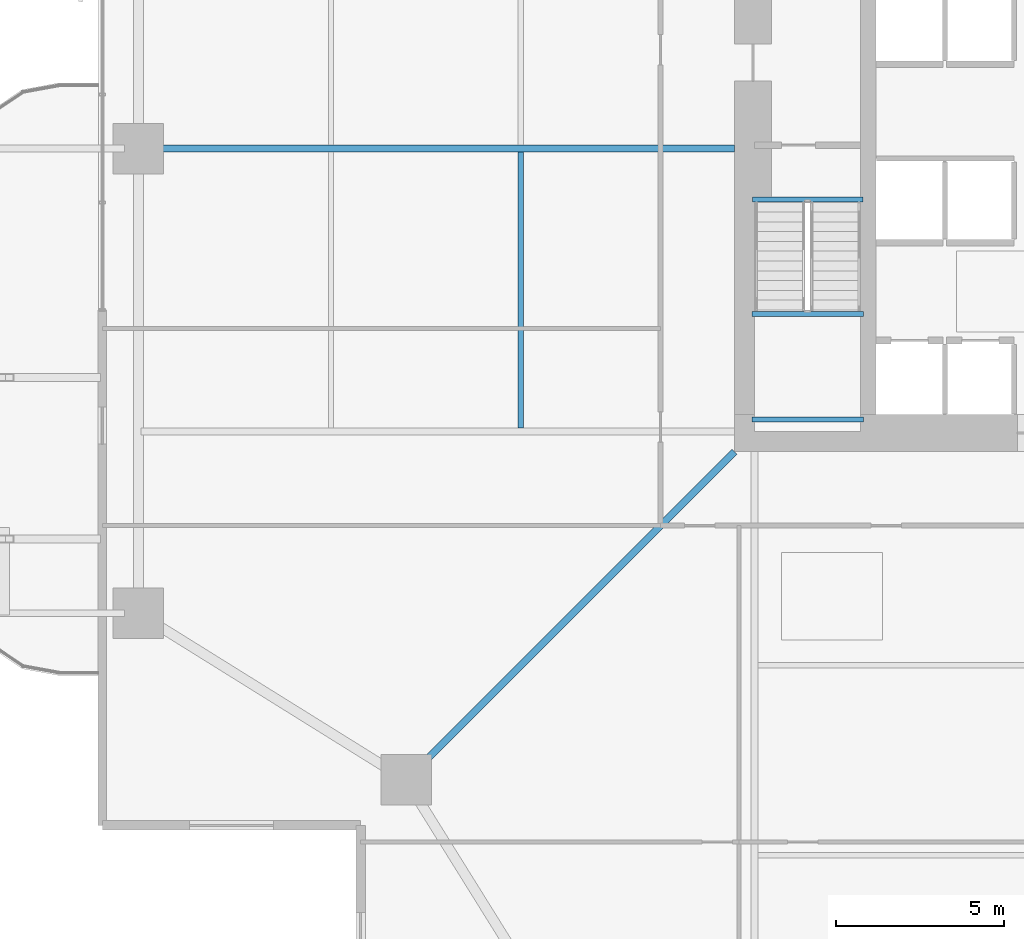
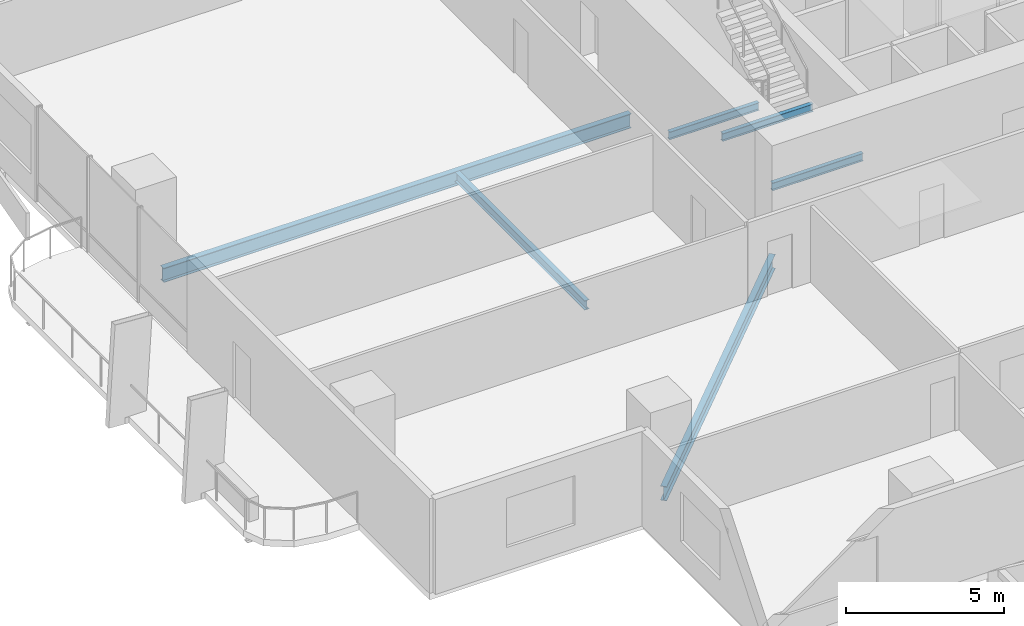
# One storey, part 5 of 24: 6 beams.
"""IFC4 building model written with IfcOpenShell, lengths in metres."""

from ifc_helpers import new_model, si_unit, direction, frame, origin, origin_2d, place, context, subcontext, project, spatial, i_section, extrude, material, material_profile, profile_set, type_object, element, save


model = new_model("IFC4")

# Units and contexts
model_context = context("Model", 3, precision=1e-05, world=origin(), true_north=direction((0.0, 1.0)))
body_context = subcontext(model_context, "Body", "Model", "MODEL_VIEW")
ifc_project = project(units=[si_unit("LENGTHUNIT", "METRE"), si_unit("AREAUNIT", "SQUARE_METRE"), si_unit("VOLUMEUNIT", "CUBIC_METRE"), si_unit("PLANEANGLEUNIT", "RADIAN"), si_unit("MASSUNIT", "GRAM", prefix="KILO")], contexts=[model_context])

# Site, building, storey
site_placement = place(None, origin())
site = spatial("IfcSite", under=ifc_project, at=site_placement, CompositionType="ELEMENT")
building_placement = place(site_placement, origin())
building = spatial("IfcBuilding", under=site, at=building_placement, Name="Belovzor Exchange Tower", CompositionType="ELEMENT")
storey_placement = place(building_placement, frame((0.0, 0.0, 33.89990234375)))
storey = spatial("IfcBuildingStorey", under=building, at=storey_placement, Name="L07", CompositionType="ELEMENT", Elevation=33.89990234375)

# Beams
ifc_material_1 = material(Name="Steel S355", Category="steel")
ifc_material_profile_1 = material_profile(ifc_material_1, i_section(OverallWidth=0.169921875, OverallDepth=0.360107421875, WebThickness=0.008056640625, FlangeThickness=0.0126953125, at=origin_2d()))
ifc_profile_set_1 = profile_set([ifc_material_profile_1], Name="Steel S355")
beam_type_1 = type_object("IfcBeamType", Name="Secondary Infill Floor Joist IPE 360", PredefinedType="BEAM", material=ifc_profile_set_1)
beam_1_placement = place(storey_placement, frame((13.455078125, 20.5048828125, -0.429931640625), z_axis=(0.0, 1.0, 0.0), x_axis=(-1.0, 0.0, 0.0)))
element("IfcBeam", 1, at=beam_1_placement, inside=storey, type_object=beam_type_1, Name="FJ-360 Secondary Infill Floor Joist IPE 360", PredefinedType="BEAM", context=body_context, shape_type="SweptSolid", body=[
    extrude(i_section(OverallWidth=0.169921875, OverallDepth=0.360107421875, WebThickness=0.008056640625, FlangeThickness=0.0126953125, at=origin_2d()), origin(), (0.0, 0.0, 1.0), 8.190185546875),
])
ifc_material_2 = material(Name="Steel S355", Category="steel")
ifc_material_profile_2 = material_profile(ifc_material_2, i_section(OverallWidth=0.14990234375, OverallDepth=0.300048828125, WebThickness=0.007080078125, FlangeThickness=0.0107421875, at=origin_2d()))
ifc_profile_set_2 = profile_set([ifc_material_profile_2], Name="Steel S355")
beam_type_2 = type_object("IfcBeamType", Name="Secondary Trim Floor Joist IPE 300", PredefinedType="BEAM", material=ifc_profile_set_2)
for number, where, z_axis, x_axis, name in (
    (2, (20.320068359375, 23.889892578125, 1.60009765625), (1.0, 0.0, 0.0), (0.0, 1.0, 0.0), "FJ-300 Secondary Trim Floor Joist IPE 300"),
    (3, (20.320068359375, 20.75, 1.60009765625), (1.0, 0.0, 0.0), (0.0, 1.0, 0.0), "FJ-300 Secondary Trim Floor Joist IPE 300"),
):
    element("IfcBeam", number, at=place(storey_placement, frame(where, z_axis=z_axis, x_axis=x_axis)), inside=storey, type_object=beam_type_2, Name=name, PredefinedType="BEAM", context=body_context, shape_type="SweptSolid", body=[
        extrude(i_section(OverallWidth=0.14990234375, OverallDepth=0.300048828125, WebThickness=0.007080078125, FlangeThickness=0.0107421875, at=origin_2d()), origin(), (0.0, 0.0, 1.0), 3.309814453125),
    ])
beam_2_placement = place(storey_placement, frame((20.340087890625, 27.280029296875, -0.39990234375), z_axis=(1.0, 0.0, 0.0), x_axis=(0.0, 1.0, 0.0)))
element("IfcBeam", 4, at=beam_2_placement, inside=storey, type_object=beam_type_2, Name="FJ-300 Secondary Trim Floor Joist IPE 300", PredefinedType="BEAM", context=body_context, shape_type="SweptSolid", body=[
    extrude(i_section(OverallWidth=0.14990234375, OverallDepth=0.300048828125, WebThickness=0.007080078125, FlangeThickness=0.0107421875, at=origin_2d()), origin(), (0.0, 0.0, 1.0), 3.27001953125),
])
ifc_material_3 = material(Name="Steel S355", Category="steel")
ifc_material_profile_3 = material_profile(ifc_material_3, i_section(OverallWidth=0.2099609375, OverallDepth=0.550048828125, WebThickness=0.010986328125, FlangeThickness=0.01708984375, at=origin_2d()))
ifc_profile_set_3 = profile_set([ifc_material_profile_3], Name="Steel S355")
beam_type_3 = type_object("IfcBeamType", Name="Zone 1 Radial Composite Floor Beam IPE 550", PredefinedType="BEAM", material=ifc_profile_set_3)
beam_3_placement = place(storey_placement, frame((19.800048828125, 28.800048828125, -0.52490234375), z_axis=(-1.0, 0.0, 0.0), x_axis=(0.0, -1.0, 0.0)))
element("IfcBeam", 5, at=beam_3_placement, inside=storey, type_object=beam_type_3, Name="FB-550 Zone 1 Radial Composite Floor Beam IPE 550", PredefinedType="BEAM", context=body_context, shape_type="SweptSolid", body=[
    extrude(i_section(OverallWidth=0.2099609375, OverallDepth=0.550048828125, WebThickness=0.010986328125, FlangeThickness=0.01708984375, at=origin_2d()), origin(), (0.0, 0.0, 1.0), 17.0400390625),
])
beam_4_placement = place(storey_placement, frame((19.800048828125, 19.800048828125, -0.52490234375), z_axis=(-0.707106781187, -0.707106781187, 0.0), x_axis=(0.707106781187, -0.707106781187, 0.0)))
element("IfcBeam", 6, at=beam_4_placement, inside=storey, type_object=beam_type_3, Name="FB-550 Zone 1 Radial Composite Floor Beam IPE 550", PredefinedType="BEAM", context=body_context, shape_type="SweptSolid", body=[
    extrude(i_section(OverallWidth=0.2099609375, OverallDepth=0.550048828125, WebThickness=0.010986328125, FlangeThickness=0.01708984375, at=origin_2d()), origin(), (0.0, 0.0, 1.0), 13.25830078125),
])

save(model, "model.ifc")
